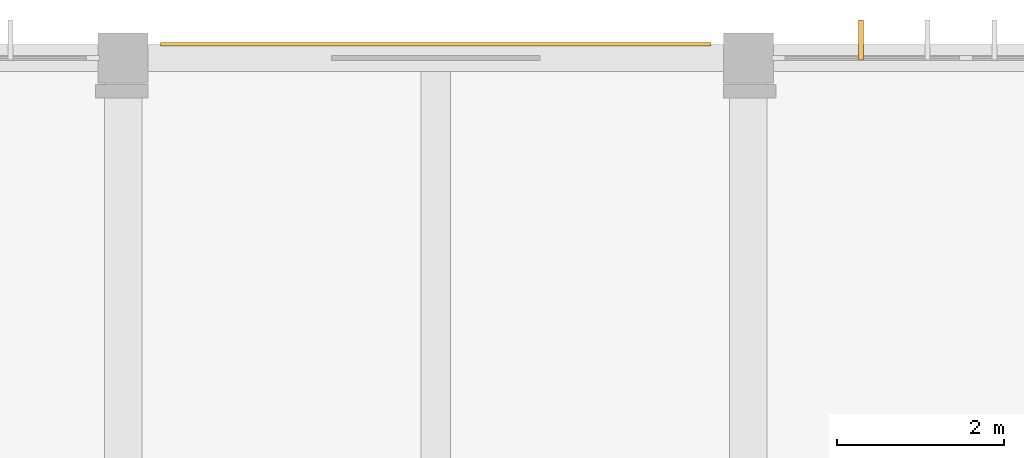
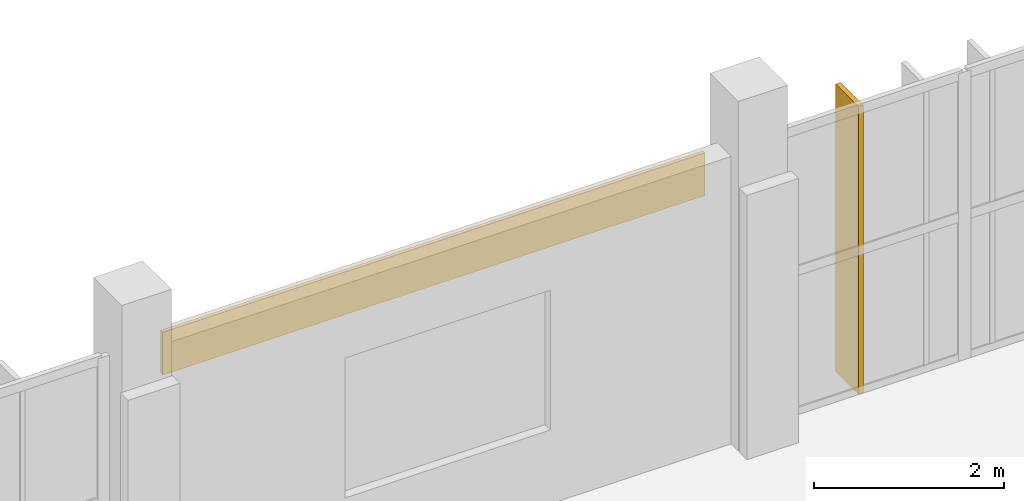
# One storey, part 77 of 81: 1 covering, 1 shading device.
"""IFC4 building model written with IfcOpenShell, lengths in metres."""

from ifc_helpers import new_model, si_unit, direction, frame, origin, origin_2d, place, context, subcontext, project, spatial, rectangle, extrude, material, layer, layer_set, material_profile, profile_set, type_object, element, save


model = new_model("IFC4")

# Units and contexts
model_context = context("Model", 3, precision=1e-05, world=origin(), true_north=direction((0.0, 1.0)))
body_context = subcontext(model_context, "Body", "Model", "MODEL_VIEW")
ifc_project = project(units=[si_unit("LENGTHUNIT", "METRE"), si_unit("AREAUNIT", "SQUARE_METRE"), si_unit("VOLUMEUNIT", "CUBIC_METRE"), si_unit("PLANEANGLEUNIT", "RADIAN"), si_unit("MASSUNIT", "GRAM", prefix="KILO")], contexts=[model_context])

# Site, building, storey
site_placement = place(None, origin())
site = spatial("IfcSite", under=ifc_project, at=site_placement, CompositionType="ELEMENT")
building_placement = place(site_placement, origin())
building = spatial("IfcBuilding", under=site, at=building_placement, Name="Vourika Railside Aquatics Centre", CompositionType="ELEMENT")
storey_placement = place(building_placement, frame((0.0, 0.0, 4.800048828125)))
storey = spatial("IfcBuildingStorey", under=building, at=storey_placement, Name="L01", CompositionType="ELEMENT", Elevation=4.800048828125)

# Covering
ifc_material_1 = material(Name="Bronze-anodized aluminium rainscreen", Category="aluminium")
ifc_layer = layer(ifc_material_1, 0.044921875, Name="COV-CLAD-45")
ifc_layer_set = layer_set([ifc_layer], Name="Bronze-anodized aluminium rainscreen")
covering_type = type_object("IfcCoveringType", Name="COV-CLAD-45", PredefinedType="CLADDING", material=ifc_layer_set)
covering_placement = place(storey_placement, frame((122.25, 116.1650390625, 3.07470703125), z_axis=(0.0, 0.0, 1.0), x_axis=(-1.0, 0.0, 0.0)))
element("IfcCovering", 1, at=covering_placement, inside=storey, type_object=covering_type, Name="Perforated Bronze Rainscreen Band CL-055", PredefinedType="CLADDING", context=body_context, shape_type="SweptSolid", body=[
    extrude(rectangle(XDim=6.60009765625, YDim=0.044921875, at=origin_2d()), origin(), (0.0, 0.0, 1.0), 0.550048828125),
])

# Shading device
ifc_material_2 = material(Name="Bronze-anodized extruded aluminium", Category="aluminium")
ifc_material_profile = material_profile(ifc_material_2, rectangle(XDim=0.06005859375, YDim=0.47998046875, at=origin_2d()), Name="ALU-FIN 60x480")
ifc_profile_set = profile_set([ifc_material_profile], Name="Bronze-anodized extruded aluminium")
shading_device_type = type_object("IfcShadingDeviceType", Name="SHD-FIN-F48A", PredefinedType="USERDEFINED", material=ifc_profile_set)
shading_device_placement = place(storey_placement, frame((127.35009765625, 116.215087890625, 0.0), z_axis=(0.0, 0.0, 1.0), x_axis=(1.0, 0.0, 0.0)))
element("IfcShadingDevice", 2, at=shading_device_placement, inside=storey, type_object=shading_device_type, Name="Vertical Solar Fin VSF-0775", ObjectType="FIN", PredefinedType="USERDEFINED", context=body_context, shape_type="SweptSolid", body=[
    extrude(rectangle(XDim=0.06005859375, YDim=0.47998046875, at=origin_2d()), origin(), (0.0, 0.0, 1.0), 3.699951171875),
])

save(model, "model.ifc")
